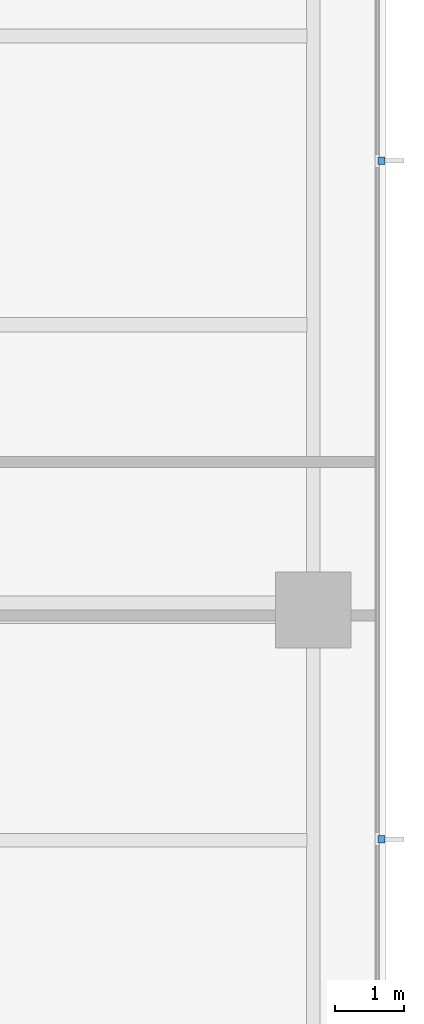
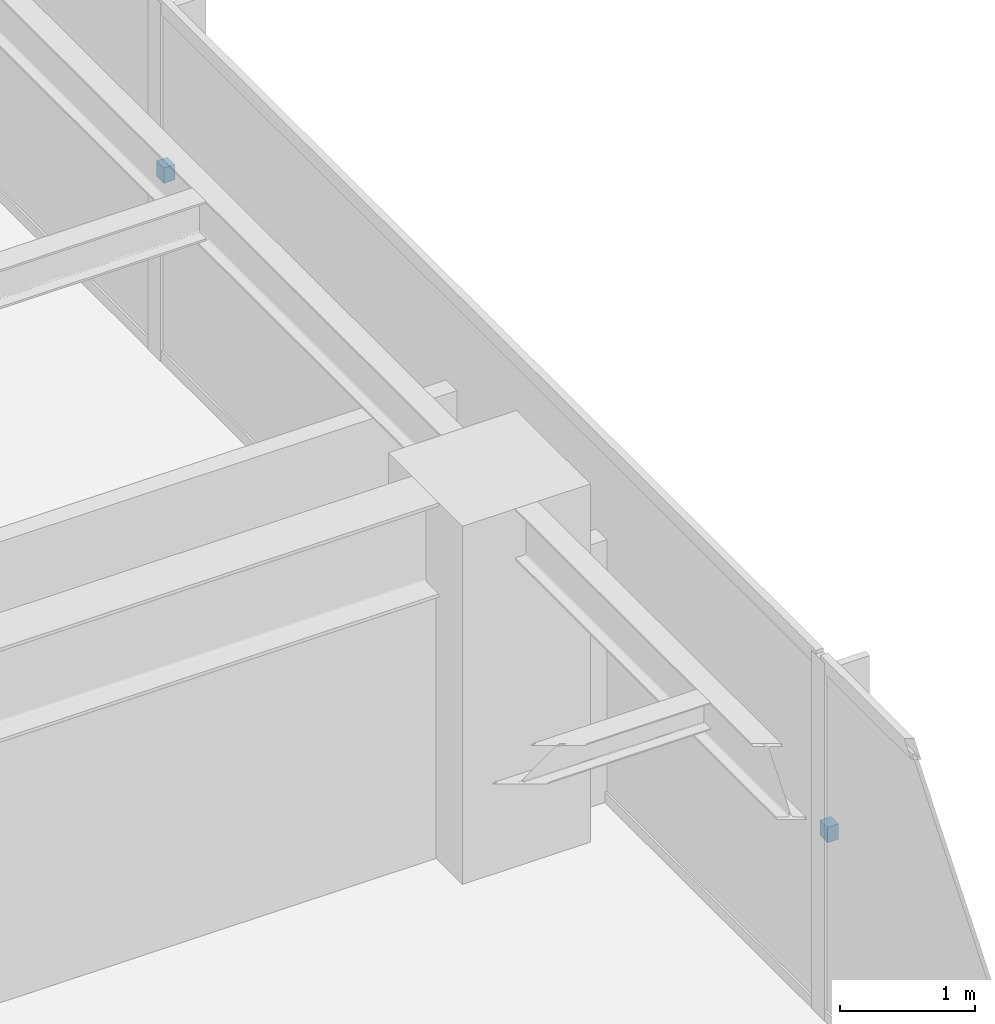
# One storey, part 12 of 15: 2 discrete accessories.
"""IFC4 building model written with IfcOpenShell, lengths in metres."""

from ifc_helpers import new_model, si_unit, direction, frame, origin, place, context, subcontext, project, spatial, polyline, outline, extrude, material, type_object, element, save


model = new_model("IFC4")

# Units and contexts
model_context = context("Model", 3, precision=1e-05, world=origin(), true_north=direction((0.0, 1.0)))
body_context = subcontext(model_context, "Body", "Model", "MODEL_VIEW")
ifc_project = project(units=[si_unit("LENGTHUNIT", "METRE"), si_unit("AREAUNIT", "SQUARE_METRE"), si_unit("VOLUMEUNIT", "CUBIC_METRE"), si_unit("PLANEANGLEUNIT", "RADIAN"), si_unit("MASSUNIT", "GRAM", prefix="KILO")], contexts=[model_context])

# Site, building, storey
site_placement = place(None, origin())
site = spatial("IfcSite", under=ifc_project, at=site_placement, CompositionType="ELEMENT")
building_placement = place(site_placement, origin())
building = spatial("IfcBuilding", under=site, at=building_placement, Name="Qalmaran Belvedere Hotel", CompositionType="ELEMENT")
storey_placement = place(building_placement, frame((0.0, 0.0, 170.10009765625)))
storey = spatial("IfcBuildingStorey", under=building, at=storey_placement, Name="L43", CompositionType="ELEMENT", Elevation=170.10009765625)

# Discrete accessories
ifc_material = material(Name="Stainless Steel 1.4401", Category="steel")
discrete_accessory_type = type_object("IfcDiscreteAccessoryType", Name="BRK-FIN-SS316", PredefinedType="BRACKET", material=ifc_material)
discrete_accessory_1_placement = place(storey_placement, frame((0.0, 0.0, 1.574951171875)))
element("IfcDiscreteAccessory", 1, at=discrete_accessory_1_placement, inside=storey, type_object=discrete_accessory_type, Name="L43 Fin Bracket 1", PredefinedType="BRACKET", context=body_context, shape_type="SweptSolid", body=[
    extrude(outline(polyline([(56.094970703125, 17.11181640625), (56.18994140625, 17.11181640625), (56.18994140625, 17.2216796875), (56.094970703125, 17.2216796875), (56.094970703125, 17.11181640625)])), origin(), (0.0, 0.0, 1.0), 0.139892578125),
])
discrete_accessory_2_placement = place(storey_placement, frame((0.0, 0.0, 1.574951171875)))
element("IfcDiscreteAccessory", 2, at=discrete_accessory_2_placement, inside=storey, type_object=discrete_accessory_type, Name="L43 Fin Bracket 2", PredefinedType="BRACKET", context=body_context, shape_type="SweptSolid", body=[
    extrude(outline(polyline([(56.094970703125, 26.978271484375), (56.18994140625, 26.978271484375), (56.18994140625, 27.08837890625), (56.094970703125, 27.08837890625), (56.094970703125, 26.978271484375)])), origin(), (0.0, 0.0, 1.0), 0.139892578125),
])

save(model, "model.ifc")
